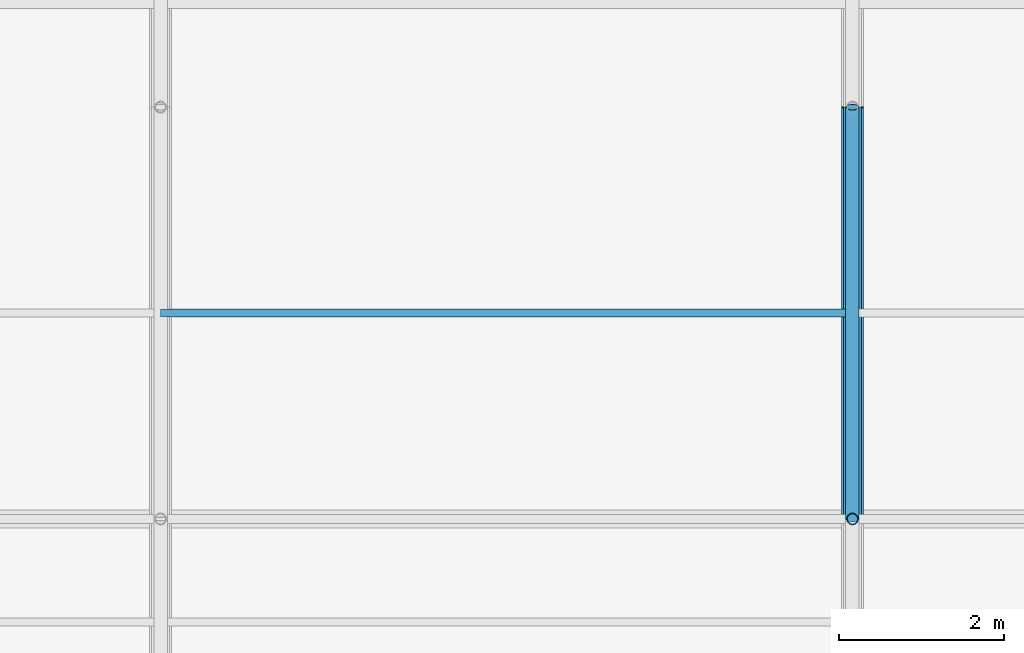
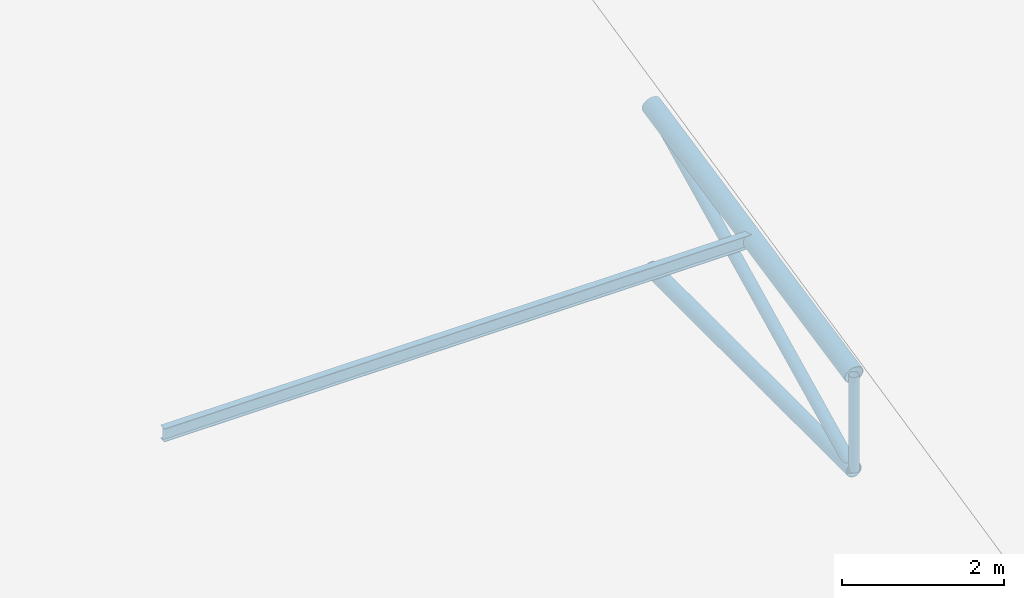
# One storey, part 22 of 194: 4 members, 1 beam.
"""IFC4 building model written with IfcOpenShell, lengths in metres."""

from ifc_helpers import new_model, si_unit, direction, frame, origin, origin_2d, place, context, subcontext, project, spatial, hollow_circle, i_section, extrude, material, material_profile, profile_set, type_object, element, save


model = new_model("IFC4")

# Units and contexts
model_context = context("Model", 3, precision=1e-05, world=origin(), true_north=direction((0.0, 1.0)))
body_context = subcontext(model_context, "Body", "Model", "MODEL_VIEW")
ifc_project = project(units=[si_unit("LENGTHUNIT", "METRE"), si_unit("AREAUNIT", "SQUARE_METRE"), si_unit("VOLUMEUNIT", "CUBIC_METRE"), si_unit("PLANEANGLEUNIT", "RADIAN"), si_unit("MASSUNIT", "GRAM", prefix="KILO")], contexts=[model_context])

# Site, building, storey
site_placement = place(None, origin())
site = spatial("IfcSite", under=ifc_project, at=site_placement, CompositionType="ELEMENT")
building_placement = place(site_placement, origin())
building = spatial("IfcBuilding", under=site, at=building_placement, Name="Kazenagashi Tramway Depot", CompositionType="ELEMENT")
storey_placement = place(building_placement, frame((0.0, 0.0, 23.7)))
storey = spatial("IfcBuildingStorey", under=building, at=storey_placement, Name="ROOF", CompositionType="ELEMENT", Elevation=23.7)

# Beam
ifc_material_1 = material(Name="Steel SN400B", Category="steel")
ifc_material_profile_1 = material_profile(ifc_material_1, i_section(OverallWidth=0.1, OverallDepth=0.2, WebThickness=0.0055, FlangeThickness=0.008, at=origin_2d()), Name="H-200x100x5.5x8")
ifc_profile_set_1 = profile_set([ifc_material_profile_1], Name="Steel SN400B")
beam_type = type_object("IfcBeamType", Name="PR-01", PredefinedType="USERDEFINED", material=ifc_profile_set_1)
beam_placement = place(storey_placement, frame((86.8, 77.5, -12.13), z_axis=(1.0, 0.0, 0.0), x_axis=(0.0, 1.0, 0.0)))
element("IfcBeam", 1, at=beam_placement, inside=storey, type_object=beam_type, Name="Beam PR-01 BM-2041", ObjectType="PURLIN", PredefinedType="USERDEFINED", context=body_context, shape_type="SweptSolid", body=[
    extrude(i_section(OverallWidth=0.1, OverallDepth=0.2, WebThickness=0.0055, FlangeThickness=0.008, at=origin_2d()), origin(), (0.0, 0.0, 1.0), 8.4),
])

# Members
ifc_material_2 = material(Name="Steel STK490", Category="steel")
ifc_material_profile_2 = material_profile(ifc_material_2, hollow_circle(Radius=0.1337, WallThickness=0.0093, at=origin_2d()), Name="CHS-267.4x9.3")
ifc_profile_set_2 = profile_set([ifc_material_profile_2], Name="Steel STK490")
member_type_1 = type_object("IfcMemberType", Name="TC-01", PredefinedType="CHORD", material=ifc_profile_set_2)
member_1_placement = place(storey_placement, frame((95.2, 75.0, -12.667), z_axis=(0.0, 0.979279174591, 0.202514933305), x_axis=(-1.0, 0.0, 0.0)))
element("IfcMember", 2, at=member_1_placement, inside=storey, type_object=member_type_1, Name="Tubular Space Frame TC-01 MEM-0370", PredefinedType="CHORD", context=body_context, shape_type="SweptSolid", body=[
    extrude(hollow_circle(Radius=0.1337, WallThickness=0.0093, at=origin_2d()), origin(), (0.0, 0.0, 1.0), 5.105796),
])
ifc_material_profile_3 = material_profile(ifc_material_2, hollow_circle(Radius=0.10815, WallThickness=0.0082, at=origin_2d()), Name="CHS-216.3x8.2")
ifc_profile_set_3 = profile_set([ifc_material_profile_3], Name="Steel STK490")
member_type_2 = type_object("IfcMemberType", Name="TC-02", PredefinedType="CHORD", material=ifc_profile_set_3)
member_2_placement = place(storey_placement, frame((95.2, 75.0, -14.1), z_axis=(0.0, 1.0, 0.0), x_axis=(-1.0, 0.0, 0.0)))
element("IfcMember", 3, at=member_2_placement, inside=storey, type_object=member_type_2, Name="Tubular Space Frame TC-02 MEM-0371", PredefinedType="CHORD", context=body_context, shape_type="SweptSolid", body=[
    extrude(hollow_circle(Radius=0.10815, WallThickness=0.0082, at=origin_2d()), origin(), (0.0, 0.0, 1.0), 5.0),
])
ifc_material_profile_4 = material_profile(ifc_material_2, hollow_circle(Radius=0.0826, WallThickness=0.0071, at=origin_2d()), Name="CHS-165.2x7.1")
ifc_profile_set_4 = profile_set([ifc_material_profile_4], Name="Steel STK490")
member_type_3 = type_object("IfcMemberType", Name="TS-01", PredefinedType="STRUT", material=ifc_profile_set_4)
member_3_placement = place(storey_placement, frame((95.2, 75.0, -14.1), z_axis=(0.0, 0.896782162482, 0.442472318969), x_axis=(-1.0, 0.0, 0.0)))
element("IfcMember", 4, at=member_3_placement, inside=storey, type_object=member_type_3, Name="Tubular Space Frame TS-01 MEM-0372", PredefinedType="STRUT", context=body_context, shape_type="SweptSolid", body=[
    extrude(hollow_circle(Radius=0.0826, WallThickness=0.0071, at=origin_2d()), origin(), (0.0, 0.0, 1.0), 5.57549),
])
ifc_material_profile_5 = material_profile(ifc_material_2, hollow_circle(Radius=0.0699, WallThickness=0.0066, at=origin_2d()), Name="CHS-139.8x6.6")
ifc_profile_set_5 = profile_set([ifc_material_profile_5], Name="Steel STK490")
member_type_4 = type_object("IfcMemberType", Name="TS-02", PredefinedType="STRUT", material=ifc_profile_set_5)
member_4_placement = place(storey_placement, frame((95.2, 75.0, -14.1), z_axis=(0.0, 0.0, 1.0), x_axis=(1.0, 0.0, 0.0)))
element("IfcMember", 5, at=member_4_placement, inside=storey, type_object=member_type_4, Name="Tubular Space Frame TS-02 MEM-0386", PredefinedType="STRUT", context=body_context, shape_type="SweptSolid", body=[
    extrude(hollow_circle(Radius=0.0699, WallThickness=0.0066, at=origin_2d()), origin(), (0.0, 0.0, 1.0), 1.433),
])

save(model, "model.ifc")
